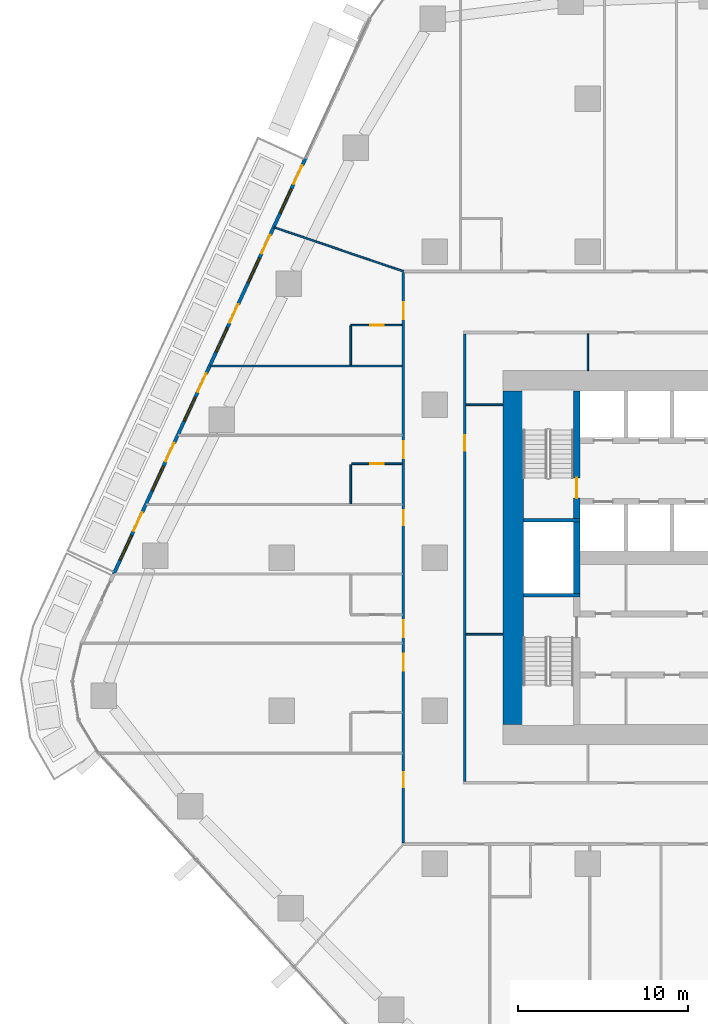
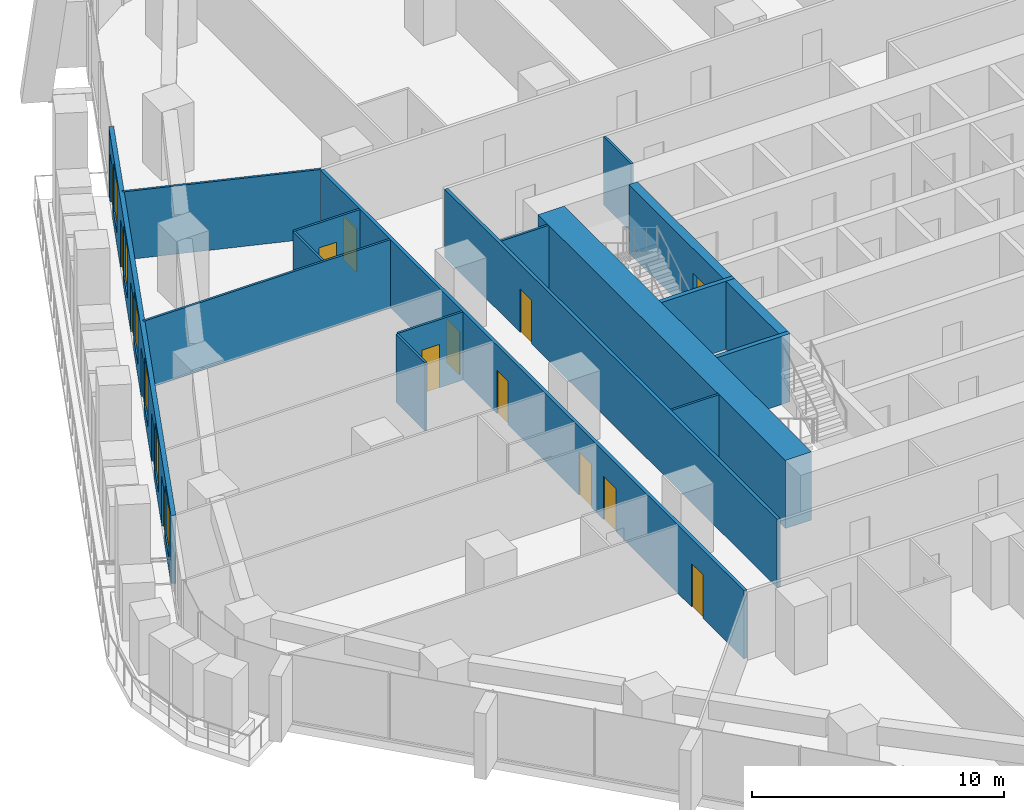
# One storey, part 15 of 27: 17 walls, 16 doors, 6 windows, 22 openings.
"""IFC4 building model written with IfcOpenShell, lengths in metres."""

import ifcopenshell
import ifcopenshell.guid

model = None  # the IFC model being written
_history = None  # IfcOwnerHistory: only IFC2X3 demands one
_inside = {}  # id of a spatial element -> (the spatial element, [elements in it])
_under = {}  # id of a project, library or spatial element -> (it, [spatial elements below it])
_declared = {}  # id of a project -> (the project, [libraries it declares])
_typed = {}  # id of a type object -> (the type object, [elements of that type])
_made_of = {}  # id of a material, layer set ... -> (it, [elements and type objects made of it])


def new_model(schema):
    """Start an empty IFC model of exactly this schema.

    Asked for "IFC4X3", IfcOpenShell would pick the latest addendum, in which some entities
    have other attributes; the version numbers below select the first issue.
    IFC2X3 requires an IfcOwnerHistory on every rooted entity: one is made here for all.
    """
    global model, _history
    if schema == "IFC4X3":
        model = ifcopenshell.file(schema_version=(4, 3, 0, 0))
    else:
        model = ifcopenshell.file(schema=schema)
    _inside.clear()
    _under.clear()
    _declared.clear()
    _typed.clear()
    _made_of.clear()
    _history = None
    if model.schema == "IFC2X3":
        org = make("IfcOrganization", Name="unknown")
        user = make(
            "IfcPersonAndOrganization",
            ThePerson=make("IfcPerson", FamilyName="unknown"),
            TheOrganization=org,
        )
        app = make(
            "IfcApplication",
            ApplicationDeveloper=org,
            Version="unknown",
            ApplicationFullName="unknown",
            ApplicationIdentifier="unknown",
        )
        _history = make(
            "IfcOwnerHistory",
            OwningUser=user,
            OwningApplication=app,
            ChangeAction="ADDED",
            CreationDate=0,
        )
    return model


def make(cls, **values):
    """One entity of the class cls with the attributes given. An attribute that is None is left unset."""
    return model.create_entity(
        cls, **{name: value for name, value in values.items() if value is not None}
    )


def rooted(cls, **values):
    """An entity with a GlobalId (a new one), such as an element, a storey or a relation."""
    return make(cls, GlobalId=ifcopenshell.guid.new(), OwnerHistory=_history, **values)


def si_unit(unit_type, name, prefix=None):
    """IfcSIUnit, for example si_unit("LENGTHUNIT", "METRE", prefix="MILLI")."""
    return make("IfcSIUnit", UnitType=unit_type, Prefix=prefix, Name=name)


def assignment(units):
    """IfcUnitAssignment: the units of a project."""
    return None if units is None else make("IfcUnitAssignment", Units=units)


def point(xyz):
    """IfcCartesianPoint."""
    return None if xyz is None else make("IfcCartesianPoint", Coordinates=xyz)


def direction(xyz):
    """IfcDirection."""
    return None if xyz is None else make("IfcDirection", DirectionRatios=xyz)


def frame(location, z_axis=None, x_axis=None):
    """IfcAxis2Placement3D, a coordinate frame: its origin and axes. An axis left out is left unset."""
    return make(
        "IfcAxis2Placement3D",
        Location=point(location),
        Axis=direction(z_axis),
        RefDirection=direction(x_axis),
    )


def frame_2d(location, x_axis=None):
    """IfcAxis2Placement2D, a coordinate frame in the plane: its origin and x axis."""
    return make(
        "IfcAxis2Placement2D", Location=point(location), RefDirection=direction(x_axis)
    )


def origin():
    """The frame at (0, 0, 0) with its axes left unset."""
    return frame((0.0, 0.0, 0.0))


def place(relative_to, where):
    """IfcLocalPlacement: puts the frame where relative to a parent placement (None: the world)."""
    return make(
        "IfcLocalPlacement", PlacementRelTo=relative_to, RelativePlacement=where
    )


def context(
    kind, dimensions, precision=None, world=None, true_north=None, identifier=None
):
    """IfcGeometricRepresentationContext, for example the 3D "Model" context."""
    return make(
        "IfcGeometricRepresentationContext",
        ContextIdentifier=identifier,
        ContextType=kind,
        CoordinateSpaceDimension=dimensions,
        Precision=precision,
        WorldCoordinateSystem=world,
        TrueNorth=true_north,
    )


def subcontext(parent, identifier, kind, view, scale=None):
    """IfcGeometricRepresentationSubContext, for example "Body" below "Model"."""
    return make(
        "IfcGeometricRepresentationSubContext",
        ContextIdentifier=identifier,
        ContextType=kind,
        ParentContext=parent,
        TargetScale=scale,
        TargetView=view,
    )


def project(units=None, contexts=None):
    """IfcProject with its units and contexts."""
    return rooted(
        "IfcProject",
        Name="project",
        RepresentationContexts=contexts,
        UnitsInContext=assignment(units),
    )


def spatial(cls, under=None, at=None, **own):
    """A site, building, storey or space (cls), placed at a placement, below another one or the project."""
    s = rooted(cls, ObjectPlacement=at, **own)
    if under is not None:
        _under.setdefault(under.id(), (under, []))[1].append(s)
    return s


def profile(cls, at=None, kind="AREA", **sizes):
    """A parametric profile (cls). Its sizes go by their IFC names, for example OverallWidth=200.0."""
    return make(cls, ProfileType=kind, Position=at, **sizes)


def rectangle(**sizes):
    """IfcRectangleProfileDef."""
    return profile("IfcRectangleProfileDef", **sizes)


def extrude(swept, where, along, depth):
    """IfcExtrudedAreaSolid: the profile swept, set in the frame where, extruded along a direction by depth."""
    return make(
        "IfcExtrudedAreaSolid",
        SweptArea=swept,
        Position=where,
        ExtrudedDirection=direction(along),
        Depth=depth,
    )


def shape(context_of_items, identifier, shape_type, items):
    """IfcShapeRepresentation: the items that make up one representation, for example the "Body"."""
    return make(
        "IfcShapeRepresentation",
        ContextOfItems=context_of_items,
        RepresentationIdentifier=identifier,
        RepresentationType=shape_type,
        Items=items,
    )


def material(Name=None, Category=None):
    """IfcMaterial."""
    return make("IfcMaterial", Name=Name, Category=Category)


def layer(
    of_material, thickness, ventilated=None, Name=None, Category=None, Priority=None
):
    """IfcMaterialLayer: one layer of a wall or slab, of a material (None: an air gap)."""
    return make(
        "IfcMaterialLayer",
        Material=of_material,
        LayerThickness=thickness,
        IsVentilated=ventilated,
        Name=Name,
        Category=Category,
        Priority=Priority,
    )


def layer_set(layers, Name=None):
    """IfcMaterialLayerSet."""
    return make("IfcMaterialLayerSet", MaterialLayers=layers, LayerSetName=Name)


def made_of(thing, what):
    """Note that an element or type object is made of a material, layer set ...; save() writes the relation."""
    if what is not None:
        _made_of.setdefault(what.id(), (what, []))[1].append(thing)
    return thing


def type_object(cls, material=None, **own):
    """A type object (cls), such as IfcWallType, which elements share."""
    return made_of(rooted(cls, **own), material)


def element(
    cls,
    number,
    at=None,
    inside=None,
    cuts=None,
    type_object=None,
    material=None,
    context=None,
    identifier="Body",
    shape_type=None,
    held_by="IfcProductDefinitionShape",
    body=None,
    shapes=None,
    **own,
):
    """One element of the class cls, such as IfcWall. Its Tag is "e" and its number.

    at: its placement. inside: the storey or other place that contains it. cuts: it is an
    opening in that element (IfcRelVoidsElement). A single representation is given by context,
    identifier, shape_type and body (its items); several are given by shapes. held_by: the class
    of the entity that holds the representations. save() writes the other relations.
    """
    e = rooted(cls, Tag="e%d" % number, ObjectPlacement=at, **own)
    if body is not None:
        shapes = [shape(context, identifier, shape_type, body)]
    if shapes is not None:
        e.Representation = make(held_by, Representations=shapes)
    if inside is not None:
        _inside.setdefault(inside.id(), (inside, []))[1].append(e)
    if cuts is not None:
        rooted(
            "IfcRelVoidsElement", RelatingBuildingElement=cuts, RelatedOpeningElement=e
        )
    if type_object is not None:
        _typed.setdefault(type_object.id(), (type_object, []))[1].append(e)
    return made_of(e, material)


def fill(opening, filler):
    """IfcRelFillsElement: the door or window that sits in an opening."""
    return rooted(
        "IfcRelFillsElement",
        RelatingOpeningElement=opening,
        RelatedBuildingElement=filler,
    )


def aggregate(whole, parts):
    """IfcRelAggregates: a whole, such as a stair, and the parts it consists of."""
    return rooted("IfcRelAggregates", RelatingObject=whole, RelatedObjects=parts)


def save(model, path):
    """Write the relations noted so far, then the file.

    IfcRelAggregates (storeys below a building ...), IfcRelContainedInSpatialStructure (elements
    in a storey), IfcRelDefinesByType, IfcRelAssociatesMaterial and IfcRelDeclares: one each for
    every whole, place, type object, material and project.
    """
    for whole, parts in _under.values():
        aggregate(whole, parts)
    for where, things in _inside.values():
        rooted(
            "IfcRelContainedInSpatialStructure",
            RelatedElements=things,
            RelatingStructure=where,
        )
    for kind, things in _typed.values():
        rooted("IfcRelDefinesByType", RelatedObjects=things, RelatingType=kind)
    for what, things in _made_of.values():
        rooted("IfcRelAssociatesMaterial", RelatedObjects=things, RelatingMaterial=what)
    for by, libraries in _declared.values():
        rooted("IfcRelDeclares", RelatingContext=by, RelatedDefinitions=libraries)
    model.write(path)


model = new_model("IFC4")

# Units and contexts
model_context = context("Model", 3, precision=1e-05, world=origin(), true_north=direction((0.0, 1.0)))
body_context = subcontext(model_context, "Body", "Model", "MODEL_VIEW")
ifc_project = project(units=[si_unit("LENGTHUNIT", "METRE"), si_unit("AREAUNIT", "SQUARE_METRE"), si_unit("VOLUMEUNIT", "CUBIC_METRE"), si_unit("PLANEANGLEUNIT", "RADIAN"), si_unit("MASSUNIT", "GRAM", prefix="KILO")], contexts=[model_context])

# Site, building, storey
site_placement = place(None, origin())
site = spatial("IfcSite", under=ifc_project, at=site_placement, CompositionType="ELEMENT")
building_placement = place(site_placement, origin())
building = spatial("IfcBuilding", under=site, at=building_placement, Name="Dongbaek Canopy Tower", CompositionType="ELEMENT")
storey_placement = place(building_placement, frame((0.0, 0.0, 62.5)))
storey = spatial("IfcBuildingStorey", under=building, at=storey_placement, Name="L11", CompositionType="ELEMENT", Elevation=62.5)

# Wall
ifc_material_1 = material(Name="Concrete C60/75", Category="concrete")
ifc_layer_1 = layer(ifc_material_1, 1.199951171875)
ifc_layer_set_1 = layer_set([ifc_layer_1], Name="Core outer wall 1200 Concrete C60/75")
wall_type_1 = type_object("IfcWallType", Name="Core outer wall 1200 Concrete C60/75", PredefinedType="SHEAR", material=ifc_layer_set_1)
wall_1_placement = place(storey_placement, frame((-13.39990234375, -9.800048828125, 0.0), z_axis=(0.0, 0.0, 1.0), x_axis=(0.0, 1.0, 0.0)))
element("IfcWall", 1, at=wall_1_placement, inside=storey, type_object=wall_type_1, Name="Core wall", PredefinedType="SHEAR", context=body_context, shape_type="SweptSolid", body=[
    extrude(rectangle(XDim=19.60009765625, YDim=1.199951171875, at=frame_2d((9.800048828125, 0.0))), origin(), (0.0, 0.0, 1.0), 3.300048828125),
])

# Wall, opening, door
ifc_material_2 = material(Name="Gypsum board partition, steel stud, 2 x 15 mm fire board", Category="steel")
ifc_layer_2 = layer(ifc_material_2, 0.14990234375)
ifc_layer_set_2 = layer_set([ifc_layer_2], Name="Fire-rated partition 150 gypsum board")
wall_type_2 = type_object("IfcWallType", Name="Fire-rated partition 150 gypsum board", PredefinedType="PARTITIONING", material=ifc_layer_set_2)
wall_2_placement = place(storey_placement, frame((-16.25, 13.175048828125, 0.0), z_axis=(0.0, 0.0, 1.0), x_axis=(0.0, -1.0, 0.0)))
wall_2 = element("IfcWall", 2, at=wall_2_placement, inside=storey, type_object=wall_type_2, Name="Corridor partition", PredefinedType="PARTITIONING", context=body_context, shape_type="SweptSolid", body=[
    extrude(rectangle(XDim=26.35009765625, YDim=0.14990234375, at=frame_2d((13.175048828125, 0.0))), origin(), (0.0, 0.0, 1.0), 3.300048828125),
])
opening_1_placement = place(wall_2_placement, frame((5.97509765625, 0.0, 0.0)))
opening_1 = element("IfcOpeningElement", 3, at=opening_1_placement, cuts=wall_2, Name="Opening L11-D043", PredefinedType="OPENING", context=body_context, shape_type="SweptSolid", body=[
    extrude(rectangle(XDim=0.89990234375, YDim=2.10009765625, at=frame_2d((0.449951171875, 1.050048828125))), frame((0.0, 0.0849609375, 0.0), z_axis=(0.0, -1.0, 0.0), x_axis=(1.0, 0.0, 0.0)), (0.0, 0.0, 1.0), 0.169921875),
])
ifc_material_3 = material(Name="Timber veneered door leaf", Category="wood")
door_type_1 = type_object("IfcDoorType", Name="Room door 900 x 2100", OperationType="SINGLE_SWING_LEFT", PredefinedType="DOOR", material=ifc_material_3)
door_1_placement = place(opening_1_placement, origin())
door_1 = element("IfcDoor", 4, at=door_1_placement, inside=storey, type_object=door_type_1, Name="Door L11-D043", OperationType="SINGLE_SWING_RIGHT", OverallHeight=2.10009765625, OverallWidth=0.89990234375, PredefinedType="DOOR", context=body_context, shape_type="SweptSolid", body=[
    extrude(rectangle(XDim=0.89990234375, YDim=2.10009765625, at=frame_2d((0.449951171875, 1.050048828125))), frame((0.0, 0.02490234375, 0.0), z_axis=(0.0, -1.0, 0.0), x_axis=(1.0, 0.0, 0.0)), (0.0, 0.0, 1.0), 0.050048828125),
])
fill(opening_1, door_1)

# Wall, openings, doors
wall_3_placement = place(storey_placement, frame((-19.85009765625, -16.77490234375, 0.0), z_axis=(0.0, 0.0, 1.0), x_axis=(0.0, 1.0, 0.0)))
wall_3 = element("IfcWall", 5, at=wall_3_placement, inside=storey, type_object=wall_type_2, Name="Corridor partition", PredefinedType="PARTITIONING", context=body_context, shape_type="SweptSolid", body=[
    extrude(rectangle(XDim=33.5498046875, YDim=0.14990234375, at=frame_2d((16.77490234375, 0.0))), origin(), (0.0, 0.0, 1.0), 3.300048828125),
])
opening_2_placement = place(wall_3_placement, frame((12.08251953125, 0.0, 0.0)))
opening_2 = element("IfcOpeningElement", 6, at=opening_2_placement, cuts=wall_3, Name="Opening L11-D002", PredefinedType="OPENING", context=body_context, shape_type="SweptSolid", body=[
    extrude(rectangle(XDim=1.0, YDim=2.10009765625, at=frame_2d((0.5, 1.050048828125))), frame((0.0, 0.0849609375, 0.0), z_axis=(0.0, -1.0, 0.0), x_axis=(1.0, 0.0, 0.0)), (0.0, 0.0, 1.0), 0.169921875),
])
opening_3_placement = place(wall_3_placement, frame((10.128173828125, 0.0, 0.0)))
opening_3 = element("IfcOpeningElement", 7, at=opening_3_placement, cuts=wall_3, Name="Opening L11-D004", PredefinedType="OPENING", context=body_context, shape_type="SweptSolid", body=[
    extrude(rectangle(XDim=1.0, YDim=2.10009765625, at=frame_2d((0.5, 1.050048828125))), frame((0.0, 0.0849609375, 0.0), z_axis=(0.0, -1.0, 0.0), x_axis=(1.0, 0.0, 0.0)), (0.0, 0.0, 1.0), 0.169921875),
])
opening_4_placement = place(wall_3_placement, frame((3.25927734375, 0.0, 0.0)))
opening_4 = element("IfcOpeningElement", 8, at=opening_4_placement, cuts=wall_3, Name="Opening L11-D005", PredefinedType="OPENING", context=body_context, shape_type="SweptSolid", body=[
    extrude(rectangle(XDim=0.89990234375, YDim=2.10009765625, at=frame_2d((0.449951171875, 1.050048828125))), frame((0.0, 0.0849609375, 0.0), z_axis=(0.0, -1.0, 0.0), x_axis=(1.0, 0.0, 0.0)), (0.0, 0.0, 1.0), 0.169921875),
])
opening_5_placement = place(wall_3_placement, frame((30.798583984375, 0.0, 0.0)))
opening_5 = element("IfcOpeningElement", 9, at=opening_5_placement, cuts=wall_3, Name="Opening L11-D032", PredefinedType="OPENING", context=body_context, shape_type="SweptSolid", body=[
    extrude(rectangle(XDim=1.0, YDim=2.10009765625, at=frame_2d((0.5, 1.050048828125))), frame((0.0, 0.0849609375, 0.0), z_axis=(0.0, -1.0, 0.0), x_axis=(1.0, 0.0, 0.0)), (0.0, 0.0, 1.0), 0.169921875),
])
opening_6_placement = place(wall_3_placement, frame((22.638427734375, 0.0, 0.0)))
opening_6 = element("IfcOpeningElement", 10, at=opening_6_placement, cuts=wall_3, Name="Opening L11-D034", PredefinedType="OPENING", context=body_context, shape_type="SweptSolid", body=[
    extrude(rectangle(XDim=1.0, YDim=2.10009765625, at=frame_2d((0.5, 1.050048828125))), frame((0.0, 0.0849609375, 0.0), z_axis=(0.0, -1.0, 0.0), x_axis=(1.0, 0.0, 0.0)), (0.0, 0.0, 1.0), 0.169921875),
])
opening_7_placement = place(wall_3_placement, frame((18.681396484375, 0.0, 0.0)))
opening_7 = element("IfcOpeningElement", 11, at=opening_7_placement, cuts=wall_3, Name="Opening L11-D035", PredefinedType="OPENING", context=body_context, shape_type="SweptSolid", body=[
    extrude(rectangle(XDim=0.89990234375, YDim=2.10009765625, at=frame_2d((0.449951171875, 1.050048828125))), frame((0.0, 0.0849609375, 0.0), z_axis=(0.0, -1.0, 0.0), x_axis=(1.0, 0.0, 0.0)), (0.0, 0.0, 1.0), 0.169921875),
])
ifc_material_4 = material(Name="Timber veneered door leaf", Category="wood")
door_type_2 = type_object("IfcDoorType", Name="Guest room door 1000 x 2100", OperationType="SINGLE_SWING_LEFT", PredefinedType="DOOR", material=ifc_material_4)
door_2_placement = place(opening_2_placement, origin())
door_2 = element("IfcDoor", 12, at=door_2_placement, inside=storey, type_object=door_type_2, Name="Door L11-D002", OperationType="SINGLE_SWING_RIGHT", OverallHeight=2.10009765625, OverallWidth=1.0, PredefinedType="DOOR", context=body_context, shape_type="SweptSolid", body=[
    extrude(rectangle(XDim=1.0, YDim=2.10009765625, at=frame_2d((0.5, 1.050048828125))), frame((0.0, 0.02490234375, 0.0), z_axis=(0.0, -1.0, 0.0), x_axis=(1.0, 0.0, 0.0)), (0.0, 0.0, 1.0), 0.050048828125),
])
fill(opening_2, door_2)
door_3_placement = place(opening_3_placement, origin())
door_3 = element("IfcDoor", 13, at=door_3_placement, inside=storey, type_object=door_type_2, Name="Door L11-D004", OperationType="SINGLE_SWING_LEFT", OverallHeight=2.10009765625, OverallWidth=1.0, PredefinedType="DOOR", context=body_context, shape_type="SweptSolid", body=[
    extrude(rectangle(XDim=1.0, YDim=2.10009765625, at=frame_2d((0.5, 1.050048828125))), frame((0.0, 0.02490234375, 0.0), z_axis=(0.0, -1.0, 0.0), x_axis=(1.0, 0.0, 0.0)), (0.0, 0.0, 1.0), 0.050048828125),
])
fill(opening_3, door_3)
door_4_placement = place(opening_5_placement, origin())
door_4 = element("IfcDoor", 14, at=door_4_placement, inside=storey, type_object=door_type_2, Name="Door L11-D032", OperationType="SINGLE_SWING_LEFT", OverallHeight=2.10009765625, OverallWidth=1.0, PredefinedType="DOOR", context=body_context, shape_type="SweptSolid", body=[
    extrude(rectangle(XDim=1.0, YDim=2.10009765625, at=frame_2d((0.5, 1.050048828125))), frame((0.0, 0.02490234375, 0.0), z_axis=(0.0, -1.0, 0.0), x_axis=(1.0, 0.0, 0.0)), (0.0, 0.0, 1.0), 0.050048828125),
])
fill(opening_5, door_4)
door_5_placement = place(opening_6_placement, origin())
door_5 = element("IfcDoor", 15, at=door_5_placement, inside=storey, type_object=door_type_2, Name="Door L11-D034", OperationType="SINGLE_SWING_LEFT", OverallHeight=2.10009765625, OverallWidth=1.0, PredefinedType="DOOR", context=body_context, shape_type="SweptSolid", body=[
    extrude(rectangle(XDim=1.0, YDim=2.10009765625, at=frame_2d((0.5, 1.050048828125))), frame((0.0, 0.02490234375, 0.0), z_axis=(0.0, -1.0, 0.0), x_axis=(1.0, 0.0, 0.0)), (0.0, 0.0, 1.0), 0.050048828125),
])
fill(opening_6, door_5)
door_6_placement = place(opening_4_placement, origin())
door_6 = element("IfcDoor", 16, at=door_6_placement, inside=storey, type_object=door_type_1, Name="Door L11-D005", OperationType="SINGLE_SWING_RIGHT", OverallHeight=2.10009765625, OverallWidth=0.89990234375, PredefinedType="DOOR", context=body_context, shape_type="SweptSolid", body=[
    extrude(rectangle(XDim=0.89990234375, YDim=2.10009765625, at=frame_2d((0.449951171875, 1.050048828125))), frame((0.0, 0.02490234375, 0.0), z_axis=(0.0, -1.0, 0.0), x_axis=(1.0, 0.0, 0.0)), (0.0, 0.0, 1.0), 0.050048828125),
])
fill(opening_4, door_6)
door_7_placement = place(opening_7_placement, origin())
door_7 = element("IfcDoor", 17, at=door_7_placement, inside=storey, type_object=door_type_1, Name="Door L11-D035", OperationType="SINGLE_SWING_RIGHT", OverallHeight=2.10009765625, OverallWidth=0.89990234375, PredefinedType="DOOR", context=body_context, shape_type="SweptSolid", body=[
    extrude(rectangle(XDim=0.89990234375, YDim=2.10009765625, at=frame_2d((0.449951171875, 1.050048828125))), frame((0.0, 0.02490234375, 0.0), z_axis=(0.0, -1.0, 0.0), x_axis=(1.0, 0.0, 0.0)), (0.0, 0.0, 1.0), 0.050048828125),
])
fill(opening_7, door_7)

# Wall
ifc_material_5 = material(Name="Gypsum board partition, steel stud, 2 x 12.5 mm board", Category="steel")
ifc_layer_3 = layer(ifc_material_5, 0.10009765625)
ifc_layer_set_3 = layer_set([ifc_layer_3], Name="Partition 100 gypsum board")
wall_type_3 = type_object("IfcWallType", Name="Partition 100 gypsum board", PredefinedType="PARTITIONING", material=ifc_layer_set_3)
wall_4_placement = place(storey_placement, frame((-16.175048828125, -4.5, 0.0), z_axis=(0.0, 0.0, 1.0), x_axis=(1.0, 0.0, 0.0)))
element("IfcWall", 18, at=wall_4_placement, inside=storey, type_object=wall_type_3, Name="Partition", PredefinedType="PARTITIONING", context=body_context, shape_type="SweptSolid", body=[
    extrude(rectangle(XDim=2.175048828125, YDim=0.10009765625, at=frame_2d((1.08740234375, 0.0))), origin(), (0.0, 0.0, 1.0), 3.300048828125),
])

# Wall, opening, door
wall_5_placement = place(storey_placement, frame((-19.925048828125, 5.52294921875, 0.0), z_axis=(0.0, 0.0, 1.0), x_axis=(-1.0, 0.0, 0.0)))
wall_5 = element("IfcWall", 19, at=wall_5_placement, inside=storey, type_object=wall_type_3, Name="Partition", PredefinedType="PARTITIONING", context=body_context, shape_type="SweptSolid", body=[
    extrude(rectangle(XDim=2.974853515625, YDim=0.10009765625, at=frame_2d((1.4873046875, 0.0))), origin(), (0.0, 0.0, 1.0), 3.300048828125),
])
opening_8_placement = place(wall_5_placement, frame((1.074951171875, 0.0, 0.0)))
opening_8 = element("IfcOpeningElement", 20, at=opening_8_placement, cuts=wall_5, Name="Opening L11-D033", PredefinedType="OPENING", context=body_context, shape_type="SweptSolid", body=[
    extrude(rectangle(XDim=0.800048828125, YDim=2.10009765625, at=frame_2d((0.39990234375, 1.050048828125))), frame((0.0, 0.06005859375, 0.0), z_axis=(0.0, -1.0, 0.0), x_axis=(1.0, 0.0, 0.0)), (0.0, 0.0, 1.0), 0.1201171875),
])
ifc_material_6 = material(Name="Timber veneered door leaf", Category="wood")
door_type_3 = type_object("IfcDoorType", Name="En-suite door 800 x 2100", OperationType="SINGLE_SWING_LEFT", PredefinedType="DOOR", material=ifc_material_6)
door_8_placement = place(opening_8_placement, origin())
door_8 = element("IfcDoor", 21, at=door_8_placement, inside=storey, type_object=door_type_3, Name="Door L11-D033", OperationType="SINGLE_SWING_RIGHT", OverallHeight=2.10009765625, OverallWidth=0.800048828125, PredefinedType="DOOR", context=body_context, shape_type="SweptSolid", body=[
    extrude(rectangle(XDim=0.800048828125, YDim=2.10009765625, at=frame_2d((0.39990234375, 1.050048828125))), frame((0.0, 0.02490234375, 0.0), z_axis=(0.0, -1.0, 0.0), x_axis=(1.0, 0.0, 0.0)), (0.0, 0.0, 1.0), 0.050048828125),
])
fill(opening_8, door_8)

# Walls
wall_6_placement = place(storey_placement, frame((-16.175048828125, 9.0, 0.0), z_axis=(0.0, 0.0, 1.0), x_axis=(1.0, 0.0, 0.0)))
element("IfcWall", 22, at=wall_6_placement, inside=storey, type_object=wall_type_3, Name="Partition", PredefinedType="PARTITIONING", context=body_context, shape_type="SweptSolid", body=[
    extrude(rectangle(XDim=2.175048828125, YDim=0.10009765625, at=frame_2d((1.08740234375, 0.0))), origin(), (0.0, 0.0, 1.0), 3.300048828125),
])
wall_7_placement = place(storey_placement, frame((-31.224609375, 11.283935546875, 0.0), z_axis=(0.0, 0.0, 1.0), x_axis=(1.0, 0.0, 0.0)))
element("IfcWall", 23, at=wall_7_placement, inside=storey, type_object=wall_type_3, Name="Partition", PredefinedType="PARTITIONING", context=body_context, shape_type="SweptSolid", body=[
    extrude(rectangle(XDim=11.299560546875, YDim=0.10009765625, at=frame_2d((5.64990234375, 0.0))), origin(), (0.0, 0.0, 1.0), 3.300048828125),
])

# Wall, opening, door
wall_8_placement = place(storey_placement, frame((-19.925048828125, 13.68408203125, 0.0), z_axis=(0.0, 0.0, 1.0), x_axis=(-1.0, 0.0, 0.0)))
wall_8 = element("IfcWall", 24, at=wall_8_placement, inside=storey, type_object=wall_type_3, Name="Partition", PredefinedType="PARTITIONING", context=body_context, shape_type="SweptSolid", body=[
    extrude(rectangle(XDim=3.02490234375, YDim=0.10009765625, at=frame_2d((1.512451171875, 0.0))), origin(), (0.0, 0.0, 1.0), 3.300048828125),
])
opening_9_placement = place(wall_8_placement, frame((1.074951171875, 0.0, 0.0)))
opening_9 = element("IfcOpeningElement", 25, at=opening_9_placement, cuts=wall_8, Name="Opening L11-D031", PredefinedType="OPENING", context=body_context, shape_type="SweptSolid", body=[
    extrude(rectangle(XDim=0.800048828125, YDim=2.10009765625, at=frame_2d((0.39990234375, 1.050048828125))), frame((0.0, 0.06005859375, 0.0), z_axis=(0.0, -1.0, 0.0), x_axis=(1.0, 0.0, 0.0)), (0.0, 0.0, 1.0), 0.1201171875),
])
door_9_placement = place(opening_9_placement, origin())
door_9 = element("IfcDoor", 26, at=door_9_placement, inside=storey, type_object=door_type_3, Name="Door L11-D031", OperationType="SINGLE_SWING_RIGHT", OverallHeight=2.10009765625, OverallWidth=0.800048828125, PredefinedType="DOOR", context=body_context, shape_type="SweptSolid", body=[
    extrude(rectangle(XDim=0.800048828125, YDim=2.10009765625, at=frame_2d((0.39990234375, 1.050048828125))), frame((0.0, 0.02490234375, 0.0), z_axis=(0.0, -1.0, 0.0), x_axis=(1.0, 0.0, 0.0)), (0.0, 0.0, 1.0), 0.050048828125),
])
fill(opening_9, door_9)

# Walls
wall_9_placement = place(storey_placement, frame((-9.0, 11.0, 0.0), z_axis=(0.0, 0.0, 1.0), x_axis=(0.0, 1.0, 0.0)))
element("IfcWall", 27, at=wall_9_placement, inside=storey, type_object=wall_type_3, Name="Partition", PredefinedType="PARTITIONING", context=body_context, shape_type="SweptSolid", body=[
    extrude(rectangle(XDim=2.175048828125, YDim=0.10009765625, at=frame_2d((1.08740234375, 0.0))), origin(), (0.0, 0.0, 1.0), 3.300048828125),
])
wall_10_placement = place(storey_placement, frame((-22.949951171875, 3.17333984375, 0.0), z_axis=(0.0, 0.0, 1.0), x_axis=(0.0, 1.0, 0.0)))
element("IfcWall", 28, at=wall_10_placement, inside=storey, type_object=wall_type_3, Name="Partition", PredefinedType="PARTITIONING", context=body_context, shape_type="SweptSolid", body=[
    extrude(rectangle(XDim=2.300048828125, YDim=0.10009765625, at=frame_2d((1.14990234375, 0.0))), origin(), (0.0, 0.0, 1.0), 3.300048828125),
])
wall_11_placement = place(storey_placement, frame((-22.949951171875, 11.333984375, 0.0), z_axis=(0.0, 0.0, 1.0), x_axis=(0.0, 1.0, 0.0)))
element("IfcWall", 29, at=wall_11_placement, inside=storey, type_object=wall_type_3, Name="Partition", PredefinedType="PARTITIONING", context=body_context, shape_type="SweptSolid", body=[
    extrude(rectangle(XDim=2.299560546875, YDim=0.10009765625, at=frame_2d((1.14990234375, 0.0))), origin(), (0.0, 0.0, 1.0), 3.300048828125),
])
wall_12_placement = place(storey_placement, frame((-27.463623046875, 19.437744140625, 0.0), z_axis=(0.0, 0.0, 1.0), x_axis=(0.946811969778, -0.321787342643, 0.0)))
element("IfcWall", 30, at=wall_12_placement, inside=storey, type_object=wall_type_3, Name="Partition", PredefinedType="PARTITIONING", context=body_context, shape_type="SweptSolid", body=[
    extrude(rectangle(XDim=8.04150390625, YDim=0.10009765625, at=frame_2d((4.020751953125, 0.0))), origin(), (0.0, 0.0, 1.0), 3.300048828125),
])
ifc_material_7 = material(Name="Concrete C60/75", Category="concrete")
ifc_layer_4 = layer(ifc_material_7, 0.199951171875)
ifc_layer_set_4 = layer_set([ifc_layer_4], Name="Riser wall 200 Concrete C60/75")
wall_type_4 = type_object("IfcWallType", Name="Riser wall 200 Concrete C60/75", PredefinedType="SHEAR", material=ifc_layer_set_4)
for number, where, z_axis, x_axis, name in (
    (31, (-9.449951171875, 2.199951171875, 0.0), (0.0, 0.0, 1.0), (-1.0, 0.0, 0.0), "Riser wall"),
    (32, (-9.449951171875, -2.199951171875, 0.0), (0.0, 0.0, 1.0), (-1.0, 0.0, 0.0), "Riser wall"),
):
    element("IfcWall", number, at=place(storey_placement, frame(where, z_axis=z_axis, x_axis=x_axis)), inside=storey, type_object=wall_type_4, Name=name, PredefinedType="SHEAR", context=body_context, shape_type="SweptSolid", body=[
        extrude(rectangle(XDim=3.35009765625, YDim=0.199951171875, at=frame_2d((1.675048828125, 0.0))), origin(), (0.0, 0.0, 1.0), 3.300048828125),
    ])
ifc_material_8 = material(Name="Concrete C60/75", Category="concrete")
ifc_layer_5 = layer(ifc_material_8, 0.39990234375)
ifc_layer_set_5 = layer_set([ifc_layer_5], Name="Stair wall 400 Concrete C60/75")
wall_type_5 = type_object("IfcWallType", Name="Stair wall 400 Concrete C60/75", PredefinedType="SHEAR", material=ifc_layer_set_5)
wall_13_placement = place(storey_placement, frame((-9.64990234375, -2.10009765625, 0.0), z_axis=(0.0, 0.0, 1.0), x_axis=(0.0, 1.0, 0.0)))
element("IfcWall", 33, at=wall_13_placement, inside=storey, type_object=wall_type_5, Name="Stair wall", PredefinedType="SHEAR", context=body_context, shape_type="SweptSolid", body=[
    extrude(rectangle(XDim=4.2001953125, YDim=0.39990234375, at=frame_2d((2.10009765625, 0.0))), origin(), (0.0, 0.0, 1.0), 3.300048828125),
])

# Wall, opening, door
wall_14_placement = place(storey_placement, frame((-9.64990234375, 2.300048828125, 0.0), z_axis=(0.0, 0.0, 1.0), x_axis=(0.0, 1.0, 0.0)))
wall_14 = element("IfcWall", 34, at=wall_14_placement, inside=storey, type_object=wall_type_5, Name="Stair wall", PredefinedType="SHEAR", context=body_context, shape_type="SweptSolid", body=[
    extrude(rectangle(XDim=7.5, YDim=0.39990234375, at=frame_2d((3.75, 0.0))), origin(), (0.0, 0.0, 1.0), 3.300048828125),
])
opening_10_placement = place(wall_14_placement, frame((1.199951171875, 0.0, 0.0)))
opening_10 = element("IfcOpeningElement", 35, at=opening_10_placement, cuts=wall_14, Name="Opening L11-D069", PredefinedType="OPENING", context=body_context, shape_type="SweptSolid", body=[
    extrude(rectangle(XDim=1.199951171875, YDim=2.10009765625, at=frame_2d((0.60009765625, 1.050048828125))), frame((0.0, 0.2099609375, 0.0), z_axis=(0.0, -1.0, 0.0), x_axis=(1.0, 0.0, 0.0)), (0.0, 0.0, 1.0), 0.419921875),
])
ifc_material_9 = material(Name="Steel", Category="steel")
door_type_4 = type_object("IfcDoorType", Name="Stair door 1200 x 2100", OperationType="SINGLE_SWING_LEFT", PredefinedType="DOOR", material=ifc_material_9)
door_10_placement = place(opening_10_placement, origin())
door_10 = element("IfcDoor", 36, at=door_10_placement, inside=storey, type_object=door_type_4, Name="Stair C door", OperationType="SINGLE_SWING_RIGHT", OverallHeight=2.10009765625, OverallWidth=1.199951171875, PredefinedType="DOOR", context=body_context, shape_type="SweptSolid", body=[
    extrude(rectangle(XDim=1.199951171875, YDim=2.10009765625, at=frame_2d((0.60009765625, 1.050048828125))), frame((0.0, 0.02490234375, 0.0), z_axis=(0.0, -1.0, 0.0), x_axis=(1.0, 0.0, 0.0)), (0.0, 0.0, 1.0), 0.050048828125),
])
fill(opening_10, door_10)

# Wall, openings, doors, windows
ifc_material_10 = material(Name="Aluminium window wall", Category="aluminium")
ifc_layer_6 = layer(ifc_material_10, 0.199951171875)
ifc_layer_set_6 = layer_set([ifc_layer_6], Name="Window wall 200")
wall_type_6 = type_object("IfcWallType", Name="Window wall 200", PredefinedType="SOLIDWALL", material=ifc_layer_set_6)
wall_15_placement = place(storey_placement, frame((-25.60107421875, 23.524169921875, 0.0), z_axis=(0.0, 0.0, 1.0), x_axis=(-0.418809499218, -0.908074117771, 0.0)))
wall_15 = element("IfcWall", 37, at=wall_15_placement, inside=storey, type_object=wall_type_6, Name="Window wall L11 3", PredefinedType="SOLIDWALL", context=body_context, shape_type="SweptSolid", body=[
    extrude(rectangle(XDim=26.959228515625, YDim=0.199951171875, at=frame_2d((13.4794921875, 0.0))), origin(), (0.0, 0.0, 1.0), 3.300048828125),
])
opening_11_placement = place(wall_15_placement, frame((2.0, 0.0, 0.60009765625)))
opening_11 = element("IfcOpeningElement", 38, at=opening_11_placement, cuts=wall_15, Name="Opening W1", PredefinedType="OPENING", context=body_context, shape_type="SweptSolid", body=[
    extrude(rectangle(XDim=1.60009765625, YDim=2.39990234375, at=frame_2d((0.800048828125, 1.199951171875))), frame((0.0, 0.10986328125, 0.0), z_axis=(0.0, -1.0, 0.0), x_axis=(1.0, 0.0, 0.0)), (0.0, 0.0, 1.0), 0.219970703125),
])
opening_12_placement = place(wall_15_placement, frame((0.5, 0.0, 0.0)))
opening_12 = element("IfcOpeningElement", 39, at=opening_12_placement, cuts=wall_15, Name="Opening L11-B11", PredefinedType="OPENING", context=body_context, shape_type="SweptSolid", body=[
    extrude(rectangle(XDim=1.199951171875, YDim=2.39990234375, at=frame_2d((0.60009765625, 1.199951171875))), frame((0.0, 0.10986328125, 0.0), z_axis=(0.0, -1.0, 0.0), x_axis=(1.0, 0.0, 0.0)), (0.0, 0.0, 1.0), 0.219970703125),
])
opening_13_placement = place(wall_15_placement, frame((6.4931640625, 0.0, 0.60009765625)))
opening_13 = element("IfcOpeningElement", 40, at=opening_13_placement, cuts=wall_15, Name="Opening W1", PredefinedType="OPENING", context=body_context, shape_type="SweptSolid", body=[
    extrude(rectangle(XDim=1.60009765625, YDim=2.39990234375, at=frame_2d((0.800048828125, 1.199951171875))), frame((0.0, 0.10986328125, 0.0), z_axis=(0.0, -1.0, 0.0), x_axis=(1.0, 0.0, 0.0)), (0.0, 0.0, 1.0), 0.219970703125),
])
opening_14_placement = place(wall_15_placement, frame((4.9931640625, 0.0, 0.0)))
opening_14 = element("IfcOpeningElement", 41, at=opening_14_placement, cuts=wall_15, Name="Opening L11-B12", PredefinedType="OPENING", context=body_context, shape_type="SweptSolid", body=[
    extrude(rectangle(XDim=1.199951171875, YDim=2.39990234375, at=frame_2d((0.60009765625, 1.199951171875))), frame((0.0, 0.10986328125, 0.0), z_axis=(0.0, -1.0, 0.0), x_axis=(1.0, 0.0, 0.0)), (0.0, 0.0, 1.0), 0.219970703125),
])
opening_15_placement = place(wall_15_placement, frame((10.986572265625, 0.0, 0.60009765625)))
opening_15 = element("IfcOpeningElement", 42, at=opening_15_placement, cuts=wall_15, Name="Opening W1", PredefinedType="OPENING", context=body_context, shape_type="SweptSolid", body=[
    extrude(rectangle(XDim=1.60009765625, YDim=2.39990234375, at=frame_2d((0.800048828125, 1.199951171875))), frame((0.0, 0.10986328125, 0.0), z_axis=(0.0, -1.0, 0.0), x_axis=(1.0, 0.0, 0.0)), (0.0, 0.0, 1.0), 0.219970703125),
])
opening_16_placement = place(wall_15_placement, frame((9.486572265625, 0.0, 0.0)))
opening_16 = element("IfcOpeningElement", 43, at=opening_16_placement, cuts=wall_15, Name="Opening L11-B13", PredefinedType="OPENING", context=body_context, shape_type="SweptSolid", body=[
    extrude(rectangle(XDim=1.199951171875, YDim=2.39990234375, at=frame_2d((0.60009765625, 1.199951171875))), frame((0.0, 0.10986328125, 0.0), z_axis=(0.0, -1.0, 0.0), x_axis=(1.0, 0.0, 0.0)), (0.0, 0.0, 1.0), 0.219970703125),
])
opening_17_placement = place(wall_15_placement, frame((15.479736328125, 0.0, 0.60009765625)))
opening_17 = element("IfcOpeningElement", 44, at=opening_17_placement, cuts=wall_15, Name="Opening W1", PredefinedType="OPENING", context=body_context, shape_type="SweptSolid", body=[
    extrude(rectangle(XDim=1.60009765625, YDim=2.39990234375, at=frame_2d((0.800048828125, 1.199951171875))), frame((0.0, 0.10986328125, 0.0), z_axis=(0.0, -1.0, 0.0), x_axis=(1.0, 0.0, 0.0)), (0.0, 0.0, 1.0), 0.219970703125),
])
opening_18_placement = place(wall_15_placement, frame((13.979736328125, 0.0, 0.0)))
opening_18 = element("IfcOpeningElement", 45, at=opening_18_placement, cuts=wall_15, Name="Opening L11-B14", PredefinedType="OPENING", context=body_context, shape_type="SweptSolid", body=[
    extrude(rectangle(XDim=1.199951171875, YDim=2.39990234375, at=frame_2d((0.60009765625, 1.199951171875))), frame((0.0, 0.10986328125, 0.0), z_axis=(0.0, -1.0, 0.0), x_axis=(1.0, 0.0, 0.0)), (0.0, 0.0, 1.0), 0.219970703125),
])
opening_19_placement = place(wall_15_placement, frame((19.972900390625, 0.0, 0.60009765625)))
opening_19 = element("IfcOpeningElement", 46, at=opening_19_placement, cuts=wall_15, Name="Opening W1", PredefinedType="OPENING", context=body_context, shape_type="SweptSolid", body=[
    extrude(rectangle(XDim=1.60009765625, YDim=2.39990234375, at=frame_2d((0.800048828125, 1.199951171875))), frame((0.0, 0.10986328125, 0.0), z_axis=(0.0, -1.0, 0.0), x_axis=(1.0, 0.0, 0.0)), (0.0, 0.0, 1.0), 0.219970703125),
])
opening_20_placement = place(wall_15_placement, frame((18.472900390625, 0.0, 0.0)))
opening_20 = element("IfcOpeningElement", 47, at=opening_20_placement, cuts=wall_15, Name="Opening L11-B15", PredefinedType="OPENING", context=body_context, shape_type="SweptSolid", body=[
    extrude(rectangle(XDim=1.199951171875, YDim=2.39990234375, at=frame_2d((0.60009765625, 1.199951171875))), frame((0.0, 0.10986328125, 0.0), z_axis=(0.0, -1.0, 0.0), x_axis=(1.0, 0.0, 0.0)), (0.0, 0.0, 1.0), 0.219970703125),
])
opening_21_placement = place(wall_15_placement, frame((24.466064453125, 0.0, 0.60009765625)))
opening_21 = element("IfcOpeningElement", 48, at=opening_21_placement, cuts=wall_15, Name="Opening W1", PredefinedType="OPENING", context=body_context, shape_type="SweptSolid", body=[
    extrude(rectangle(XDim=1.60009765625, YDim=2.39990234375, at=frame_2d((0.800048828125, 1.199951171875))), frame((0.0, 0.10986328125, 0.0), z_axis=(0.0, -1.0, 0.0), x_axis=(1.0, 0.0, 0.0)), (0.0, 0.0, 1.0), 0.219970703125),
])
opening_22_placement = place(wall_15_placement, frame((22.966064453125, 0.0, 0.0)))
opening_22 = element("IfcOpeningElement", 49, at=opening_22_placement, cuts=wall_15, Name="Opening L11-B16", PredefinedType="OPENING", context=body_context, shape_type="SweptSolid", body=[
    extrude(rectangle(XDim=1.199951171875, YDim=2.39990234375, at=frame_2d((0.60009765625, 1.199951171875))), frame((0.0, 0.10986328125, 0.0), z_axis=(0.0, -1.0, 0.0), x_axis=(1.0, 0.0, 0.0)), (0.0, 0.0, 1.0), 0.219970703125),
])
ifc_material_11 = material(Name="Clear glazing in aluminium frame", Category="aluminium")
door_type_5 = type_object("IfcDoorType", Name="Balcony door BD1 1200 x 2400", OperationType="SLIDING_TO_LEFT", PredefinedType="DOOR", material=ifc_material_11)
door_11_placement = place(opening_12_placement, origin())
door_11 = element("IfcDoor", 50, at=door_11_placement, inside=storey, type_object=door_type_5, Name="Balcony door L11-B11", OperationType="SLIDING_TO_LEFT", OverallHeight=2.39990234375, OverallWidth=1.199951171875, PredefinedType="DOOR", context=body_context, shape_type="SweptSolid", body=[
    extrude(rectangle(XDim=1.199951171875, YDim=2.39990234375, at=frame_2d((0.60009765625, 1.199951171875))), frame((0.0, 0.02490234375, 0.0), z_axis=(0.0, -1.0, 0.0), x_axis=(1.0, 0.0, 0.0)), (0.0, 0.0, 1.0), 0.050048828125),
])
fill(opening_12, door_11)
door_12_placement = place(opening_14_placement, origin())
door_12 = element("IfcDoor", 51, at=door_12_placement, inside=storey, type_object=door_type_5, Name="Balcony door L11-B12", OperationType="SLIDING_TO_LEFT", OverallHeight=2.39990234375, OverallWidth=1.199951171875, PredefinedType="DOOR", context=body_context, shape_type="SweptSolid", body=[
    extrude(rectangle(XDim=1.199951171875, YDim=2.39990234375, at=frame_2d((0.60009765625, 1.199951171875))), frame((0.0, 0.02490234375, 0.0), z_axis=(0.0, -1.0, 0.0), x_axis=(1.0, 0.0, 0.0)), (0.0, 0.0, 1.0), 0.050048828125),
])
fill(opening_14, door_12)
door_13_placement = place(opening_16_placement, origin())
door_13 = element("IfcDoor", 52, at=door_13_placement, inside=storey, type_object=door_type_5, Name="Balcony door L11-B13", OperationType="SLIDING_TO_LEFT", OverallHeight=2.39990234375, OverallWidth=1.199951171875, PredefinedType="DOOR", context=body_context, shape_type="SweptSolid", body=[
    extrude(rectangle(XDim=1.199951171875, YDim=2.39990234375, at=frame_2d((0.60009765625, 1.199951171875))), frame((0.0, 0.02490234375, 0.0), z_axis=(0.0, -1.0, 0.0), x_axis=(1.0, 0.0, 0.0)), (0.0, 0.0, 1.0), 0.050048828125),
])
fill(opening_16, door_13)
door_14_placement = place(opening_18_placement, origin())
door_14 = element("IfcDoor", 53, at=door_14_placement, inside=storey, type_object=door_type_5, Name="Balcony door L11-B14", OperationType="SLIDING_TO_LEFT", OverallHeight=2.39990234375, OverallWidth=1.199951171875, PredefinedType="DOOR", context=body_context, shape_type="SweptSolid", body=[
    extrude(rectangle(XDim=1.199951171875, YDim=2.39990234375, at=frame_2d((0.60009765625, 1.199951171875))), frame((0.0, 0.02490234375, 0.0), z_axis=(0.0, -1.0, 0.0), x_axis=(1.0, 0.0, 0.0)), (0.0, 0.0, 1.0), 0.050048828125),
])
fill(opening_18, door_14)
door_15_placement = place(opening_20_placement, origin())
door_15 = element("IfcDoor", 54, at=door_15_placement, inside=storey, type_object=door_type_5, Name="Balcony door L11-B15", OperationType="SLIDING_TO_LEFT", OverallHeight=2.39990234375, OverallWidth=1.199951171875, PredefinedType="DOOR", context=body_context, shape_type="SweptSolid", body=[
    extrude(rectangle(XDim=1.199951171875, YDim=2.39990234375, at=frame_2d((0.60009765625, 1.199951171875))), frame((0.0, 0.02490234375, 0.0), z_axis=(0.0, -1.0, 0.0), x_axis=(1.0, 0.0, 0.0)), (0.0, 0.0, 1.0), 0.050048828125),
])
fill(opening_20, door_15)
door_16_placement = place(opening_22_placement, origin())
door_16 = element("IfcDoor", 55, at=door_16_placement, inside=storey, type_object=door_type_5, Name="Balcony door L11-B16", OperationType="SLIDING_TO_LEFT", OverallHeight=2.39990234375, OverallWidth=1.199951171875, PredefinedType="DOOR", context=body_context, shape_type="SweptSolid", body=[
    extrude(rectangle(XDim=1.199951171875, YDim=2.39990234375, at=frame_2d((0.60009765625, 1.199951171875))), frame((0.0, 0.02490234375, 0.0), z_axis=(0.0, -1.0, 0.0), x_axis=(1.0, 0.0, 0.0)), (0.0, 0.0, 1.0), 0.050048828125),
])
fill(opening_22, door_16)
ifc_material_12 = material(Name="Clear glazing in aluminium frame", Category="aluminium")
window_type = type_object("IfcWindowType", Name="Window W1 1600 x 2400", PartitioningType="SINGLE_PANEL", PredefinedType="WINDOW", material=ifc_material_12)
window_1_placement = place(opening_11_placement, origin())
window_1 = element("IfcWindow", 56, at=window_1_placement, inside=storey, type_object=window_type, Name="Window L11 3.1", OverallHeight=2.39990234375, OverallWidth=1.60009765625, PartitioningType="SINGLE_PANEL", PredefinedType="WINDOW", context=body_context, shape_type="SweptSolid", body=[
    extrude(rectangle(XDim=1.60009765625, YDim=2.39990234375, at=frame_2d((0.800048828125, 1.199951171875))), frame((0.0, 0.030029296875, 0.0), z_axis=(0.0, -1.0, 0.0), x_axis=(1.0, 0.0, 0.0)), (0.0, 0.0, 1.0), 0.06005859375),
])
fill(opening_11, window_1)
window_2_placement = place(opening_13_placement, origin())
window_2 = element("IfcWindow", 57, at=window_2_placement, inside=storey, type_object=window_type, Name="Window L11 3.2", OverallHeight=2.39990234375, OverallWidth=1.60009765625, PartitioningType="SINGLE_PANEL", PredefinedType="WINDOW", context=body_context, shape_type="SweptSolid", body=[
    extrude(rectangle(XDim=1.60009765625, YDim=2.39990234375, at=frame_2d((0.800048828125, 1.199951171875))), frame((0.0, 0.030029296875, 0.0), z_axis=(0.0, -1.0, 0.0), x_axis=(1.0, 0.0, 0.0)), (0.0, 0.0, 1.0), 0.06005859375),
])
fill(opening_13, window_2)
window_3_placement = place(opening_15_placement, origin())
window_3 = element("IfcWindow", 58, at=window_3_placement, inside=storey, type_object=window_type, Name="Window L11 3.3", OverallHeight=2.39990234375, OverallWidth=1.60009765625, PartitioningType="SINGLE_PANEL", PredefinedType="WINDOW", context=body_context, shape_type="SweptSolid", body=[
    extrude(rectangle(XDim=1.60009765625, YDim=2.39990234375, at=frame_2d((0.800048828125, 1.199951171875))), frame((0.0, 0.030029296875, 0.0), z_axis=(0.0, -1.0, 0.0), x_axis=(1.0, 0.0, 0.0)), (0.0, 0.0, 1.0), 0.06005859375),
])
fill(opening_15, window_3)
window_4_placement = place(opening_17_placement, origin())
window_4 = element("IfcWindow", 59, at=window_4_placement, inside=storey, type_object=window_type, Name="Window L11 3.4", OverallHeight=2.39990234375, OverallWidth=1.60009765625, PartitioningType="SINGLE_PANEL", PredefinedType="WINDOW", context=body_context, shape_type="SweptSolid", body=[
    extrude(rectangle(XDim=1.60009765625, YDim=2.39990234375, at=frame_2d((0.800048828125, 1.199951171875))), frame((0.0, 0.030029296875, 0.0), z_axis=(0.0, -1.0, 0.0), x_axis=(1.0, 0.0, 0.0)), (0.0, 0.0, 1.0), 0.06005859375),
])
fill(opening_17, window_4)
window_5_placement = place(opening_19_placement, origin())
window_5 = element("IfcWindow", 60, at=window_5_placement, inside=storey, type_object=window_type, Name="Window L11 3.5", OverallHeight=2.39990234375, OverallWidth=1.60009765625, PartitioningType="SINGLE_PANEL", PredefinedType="WINDOW", context=body_context, shape_type="SweptSolid", body=[
    extrude(rectangle(XDim=1.60009765625, YDim=2.39990234375, at=frame_2d((0.800048828125, 1.199951171875))), frame((0.0, 0.030029296875, 0.0), z_axis=(0.0, -1.0, 0.0), x_axis=(1.0, 0.0, 0.0)), (0.0, 0.0, 1.0), 0.06005859375),
])
fill(opening_19, window_5)
window_6_placement = place(opening_21_placement, origin())
window_6 = element("IfcWindow", 61, at=window_6_placement, inside=storey, type_object=window_type, Name="Window L11 3.6", OverallHeight=2.39990234375, OverallWidth=1.60009765625, PartitioningType="SINGLE_PANEL", PredefinedType="WINDOW", context=body_context, shape_type="SweptSolid", body=[
    extrude(rectangle(XDim=1.60009765625, YDim=2.39990234375, at=frame_2d((0.800048828125, 1.199951171875))), frame((0.0, 0.030029296875, 0.0), z_axis=(0.0, -1.0, 0.0), x_axis=(1.0, 0.0, 0.0)), (0.0, 0.0, 1.0), 0.06005859375),
])
fill(opening_21, window_6)

save(model, "model.ifc")
